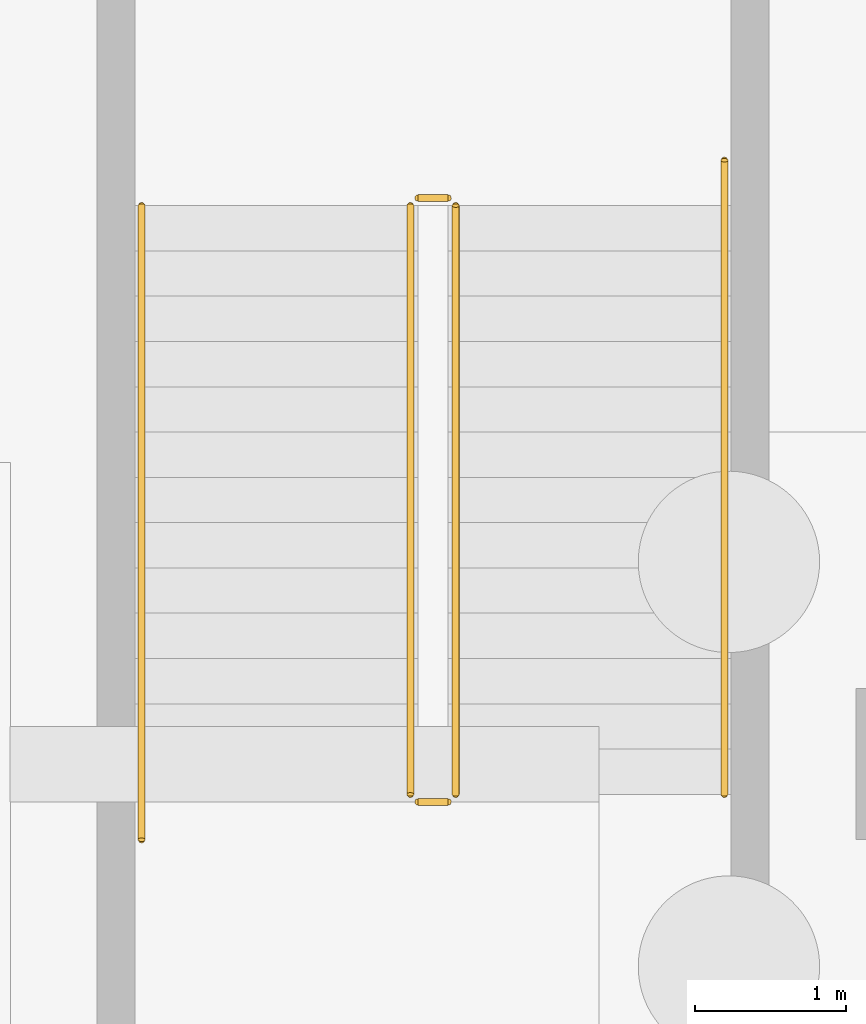
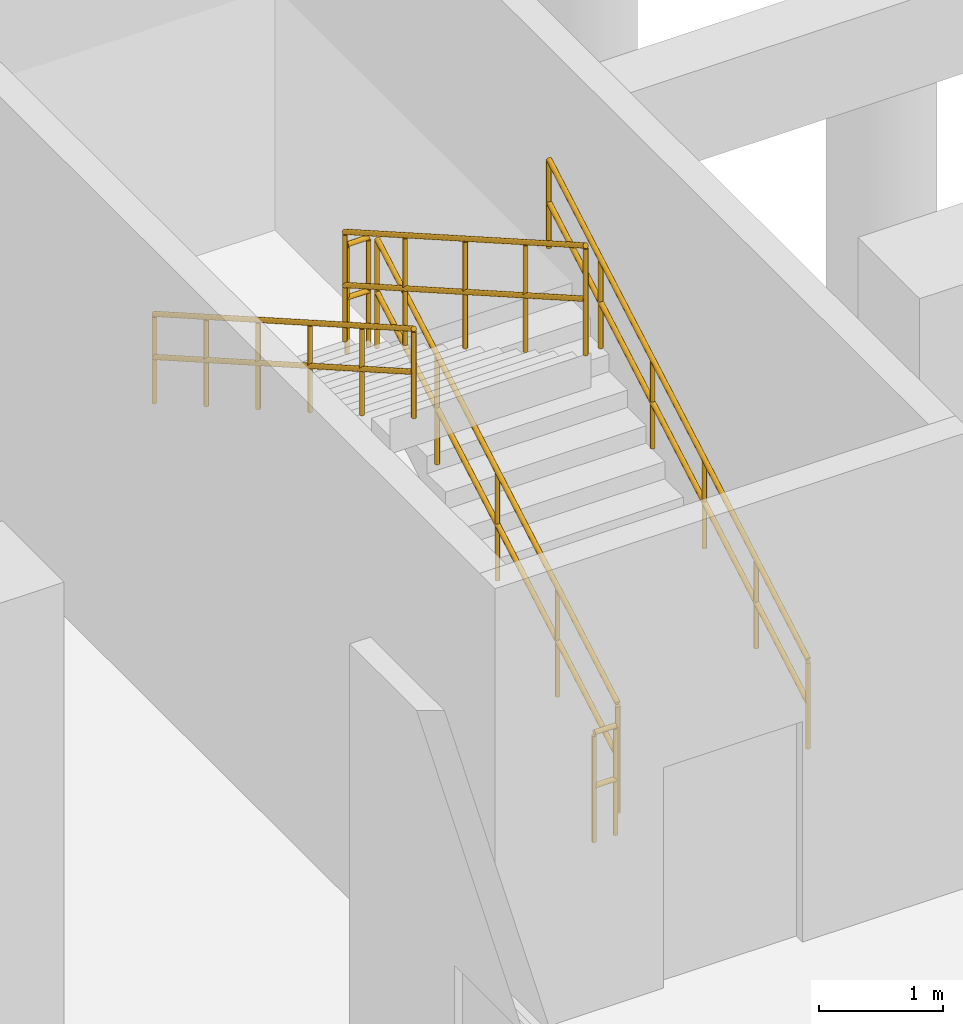
# One storey, part 37 of 40: 6 railings.
"""IFC4 building model written with IfcOpenShell, lengths in metres."""

import ifcopenshell
import ifcopenshell.guid

model = None  # the IFC model being written
_history = None  # IfcOwnerHistory: only IFC2X3 demands one
_inside = {}  # id of a spatial element -> (the spatial element, [elements in it])
_under = {}  # id of a project, library or spatial element -> (it, [spatial elements below it])
_declared = {}  # id of a project -> (the project, [libraries it declares])
_typed = {}  # id of a type object -> (the type object, [elements of that type])
_made_of = {}  # id of a material, layer set ... -> (it, [elements and type objects made of it])


def new_model(schema):
    """Start an empty IFC model of exactly this schema.

    Asked for "IFC4X3", IfcOpenShell would pick the latest addendum, in which some entities
    have other attributes; the version numbers below select the first issue.
    IFC2X3 requires an IfcOwnerHistory on every rooted entity: one is made here for all.
    """
    global model, _history
    if schema == "IFC4X3":
        model = ifcopenshell.file(schema_version=(4, 3, 0, 0))
    else:
        model = ifcopenshell.file(schema=schema)
    _inside.clear()
    _under.clear()
    _declared.clear()
    _typed.clear()
    _made_of.clear()
    _history = None
    if model.schema == "IFC2X3":
        org = make("IfcOrganization", Name="unknown")
        user = make(
            "IfcPersonAndOrganization",
            ThePerson=make("IfcPerson", FamilyName="unknown"),
            TheOrganization=org,
        )
        app = make(
            "IfcApplication",
            ApplicationDeveloper=org,
            Version="unknown",
            ApplicationFullName="unknown",
            ApplicationIdentifier="unknown",
        )
        _history = make(
            "IfcOwnerHistory",
            OwningUser=user,
            OwningApplication=app,
            ChangeAction="ADDED",
            CreationDate=0,
        )
    return model


def make(cls, **values):
    """One entity of the class cls with the attributes given. An attribute that is None is left unset."""
    return model.create_entity(
        cls, **{name: value for name, value in values.items() if value is not None}
    )


def rooted(cls, **values):
    """An entity with a GlobalId (a new one), such as an element, a storey or a relation."""
    return make(cls, GlobalId=ifcopenshell.guid.new(), OwnerHistory=_history, **values)


def si_unit(unit_type, name, prefix=None):
    """IfcSIUnit, for example si_unit("LENGTHUNIT", "METRE", prefix="MILLI")."""
    return make("IfcSIUnit", UnitType=unit_type, Prefix=prefix, Name=name)


def assignment(units):
    """IfcUnitAssignment: the units of a project."""
    return None if units is None else make("IfcUnitAssignment", Units=units)


def point(xyz):
    """IfcCartesianPoint."""
    return None if xyz is None else make("IfcCartesianPoint", Coordinates=xyz)


def direction(xyz):
    """IfcDirection."""
    return None if xyz is None else make("IfcDirection", DirectionRatios=xyz)


def frame(location, z_axis=None, x_axis=None):
    """IfcAxis2Placement3D, a coordinate frame: its origin and axes. An axis left out is left unset."""
    return make(
        "IfcAxis2Placement3D",
        Location=point(location),
        Axis=direction(z_axis),
        RefDirection=direction(x_axis),
    )


def frame_2d(location, x_axis=None):
    """IfcAxis2Placement2D, a coordinate frame in the plane: its origin and x axis."""
    return make(
        "IfcAxis2Placement2D", Location=point(location), RefDirection=direction(x_axis)
    )


def origin():
    """The frame at (0, 0, 0) with its axes left unset."""
    return frame((0.0, 0.0, 0.0))


def origin_2d():
    """The frame at (0, 0) in the plane with its x axis left unset."""
    return frame_2d((0.0, 0.0))


def place(relative_to, where):
    """IfcLocalPlacement: puts the frame where relative to a parent placement (None: the world)."""
    return make(
        "IfcLocalPlacement", PlacementRelTo=relative_to, RelativePlacement=where
    )


def context(
    kind, dimensions, precision=None, world=None, true_north=None, identifier=None
):
    """IfcGeometricRepresentationContext, for example the 3D "Model" context."""
    return make(
        "IfcGeometricRepresentationContext",
        ContextIdentifier=identifier,
        ContextType=kind,
        CoordinateSpaceDimension=dimensions,
        Precision=precision,
        WorldCoordinateSystem=world,
        TrueNorth=true_north,
    )


def subcontext(parent, identifier, kind, view, scale=None):
    """IfcGeometricRepresentationSubContext, for example "Body" below "Model"."""
    return make(
        "IfcGeometricRepresentationSubContext",
        ContextIdentifier=identifier,
        ContextType=kind,
        ParentContext=parent,
        TargetScale=scale,
        TargetView=view,
    )


def project(units=None, contexts=None):
    """IfcProject with its units and contexts."""
    return rooted(
        "IfcProject",
        Name="project",
        RepresentationContexts=contexts,
        UnitsInContext=assignment(units),
    )


def spatial(cls, under=None, at=None, **own):
    """A site, building, storey or space (cls), placed at a placement, below another one or the project."""
    s = rooted(cls, ObjectPlacement=at, **own)
    if under is not None:
        _under.setdefault(under.id(), (under, []))[1].append(s)
    return s


def profile(cls, at=None, kind="AREA", **sizes):
    """A parametric profile (cls). Its sizes go by their IFC names, for example OverallWidth=200.0."""
    return make(cls, ProfileType=kind, Position=at, **sizes)


def circle(**sizes):
    """IfcCircleProfileDef."""
    return profile("IfcCircleProfileDef", **sizes)


def extrude(swept, where, along, depth):
    """IfcExtrudedAreaSolid: the profile swept, set in the frame where, extruded along a direction by depth."""
    return make(
        "IfcExtrudedAreaSolid",
        SweptArea=swept,
        Position=where,
        ExtrudedDirection=direction(along),
        Depth=depth,
    )


def shape(context_of_items, identifier, shape_type, items):
    """IfcShapeRepresentation: the items that make up one representation, for example the "Body"."""
    return make(
        "IfcShapeRepresentation",
        ContextOfItems=context_of_items,
        RepresentationIdentifier=identifier,
        RepresentationType=shape_type,
        Items=items,
    )


def material(Name=None, Category=None):
    """IfcMaterial."""
    return make("IfcMaterial", Name=Name, Category=Category)


def made_of(thing, what):
    """Note that an element or type object is made of a material, layer set ...; save() writes the relation."""
    if what is not None:
        _made_of.setdefault(what.id(), (what, []))[1].append(thing)
    return thing


def type_object(cls, material=None, **own):
    """A type object (cls), such as IfcWallType, which elements share."""
    return made_of(rooted(cls, **own), material)


def element(
    cls,
    number,
    at=None,
    inside=None,
    cuts=None,
    type_object=None,
    material=None,
    context=None,
    identifier="Body",
    shape_type=None,
    held_by="IfcProductDefinitionShape",
    body=None,
    shapes=None,
    **own,
):
    """One element of the class cls, such as IfcWall. Its Tag is "e" and its number.

    at: its placement. inside: the storey or other place that contains it. cuts: it is an
    opening in that element (IfcRelVoidsElement). A single representation is given by context,
    identifier, shape_type and body (its items); several are given by shapes. held_by: the class
    of the entity that holds the representations. save() writes the other relations.
    """
    e = rooted(cls, Tag="e%d" % number, ObjectPlacement=at, **own)
    if body is not None:
        shapes = [shape(context, identifier, shape_type, body)]
    if shapes is not None:
        e.Representation = make(held_by, Representations=shapes)
    if inside is not None:
        _inside.setdefault(inside.id(), (inside, []))[1].append(e)
    if cuts is not None:
        rooted(
            "IfcRelVoidsElement", RelatingBuildingElement=cuts, RelatedOpeningElement=e
        )
    if type_object is not None:
        _typed.setdefault(type_object.id(), (type_object, []))[1].append(e)
    return made_of(e, material)


def aggregate(whole, parts):
    """IfcRelAggregates: a whole, such as a stair, and the parts it consists of."""
    return rooted("IfcRelAggregates", RelatingObject=whole, RelatedObjects=parts)


def save(model, path):
    """Write the relations noted so far, then the file.

    IfcRelAggregates (storeys below a building ...), IfcRelContainedInSpatialStructure (elements
    in a storey), IfcRelDefinesByType, IfcRelAssociatesMaterial and IfcRelDeclares: one each for
    every whole, place, type object, material and project.
    """
    for whole, parts in _under.values():
        aggregate(whole, parts)
    for where, things in _inside.values():
        rooted(
            "IfcRelContainedInSpatialStructure",
            RelatedElements=things,
            RelatingStructure=where,
        )
    for kind, things in _typed.values():
        rooted("IfcRelDefinesByType", RelatedObjects=things, RelatingType=kind)
    for what, things in _made_of.values():
        rooted("IfcRelAssociatesMaterial", RelatedObjects=things, RelatingMaterial=what)
    for by, libraries in _declared.values():
        rooted("IfcRelDeclares", RelatingContext=by, RelatedDefinitions=libraries)
    model.write(path)


model = new_model("IFC4")

# Units and contexts
model_context = context("Model", 3, precision=1e-05, world=origin(), true_north=direction((0.0, 1.0)))
body_context = subcontext(model_context, "Body", "Model", "MODEL_VIEW")
ifc_project = project(units=[si_unit("LENGTHUNIT", "METRE"), si_unit("AREAUNIT", "SQUARE_METRE"), si_unit("VOLUMEUNIT", "CUBIC_METRE"), si_unit("PLANEANGLEUNIT", "RADIAN"), si_unit("MASSUNIT", "GRAM", prefix="KILO")], contexts=[model_context])

# Site, building, storey
site_placement = place(None, origin())
site = spatial("IfcSite", under=ifc_project, at=site_placement, CompositionType="ELEMENT")
building_placement = place(site_placement, origin())
building = spatial("IfcBuilding", under=site, at=building_placement, Name="Marnock Terrace Opera House", CompositionType="ELEMENT")
storey_placement = place(building_placement, frame((0.0, 0.0, -4.800048828125)))
storey = spatial("IfcBuildingStorey", under=building, at=storey_placement, Name="B1", CompositionType="ELEMENT", Elevation=-4.800048828125)

# Railings
ifc_material = material(Name="Architectural bronze balustrade")
railing_type_1 = type_object("IfcRailingType", Name="RL-GUARD-1100", PredefinedType="GUARDRAIL", material=ifc_material)
railing_1_placement = place(storey_placement, frame((105.85009765625, 74.800048828125, 0.17138671875)))
element("IfcRailing", 1, at=railing_1_placement, inside=storey, type_object=railing_type_1, Name="B1 ST-04 stair guard 1", PredefinedType="GUARDRAIL", context=body_context, shape_type="SweptSolid", body=[
    extrude(circle(Radius=0.02392578125, at=origin_2d()), frame((0.0, 0.0, 1.076171875), z_axis=(0.0, 0.868219727965, 0.496179910892), x_axis=(-1.0, 0.0, 0.0)), (0.0, 0.0, 1.0), 4.491943359375),
    extrude(circle(Radius=0.02392578125, at=origin_2d()), frame((0.0, 0.0, 0.550048828125), z_axis=(0.0, 0.868219727965, 0.496179910892), x_axis=(-1.0, 0.0, 0.0)), (0.0, 0.0, 1.0), 4.491943359375),
    extrude(circle(Radius=0.02099609375, at=origin_2d()), origin(), (0.0, 0.0, 1.0), 1.052001953125),
    extrude(circle(Radius=0.02099609375, at=origin_2d()), frame((0.0, 0.97509765625, 0.55712890625)), (0.0, 0.0, 1.0), 1.052001953125),
    extrude(circle(Radius=0.02099609375, at=origin_2d()), frame((0.0, 1.949951171875, 1.1142578125)), (0.0, 0.0, 1.0), 1.052001953125),
    extrude(circle(Radius=0.02099609375, at=origin_2d()), frame((0.0, 2.9248046875, 1.671630859375)), (0.0, 0.0, 1.0), 1.052001953125),
    extrude(circle(Radius=0.02099609375, at=origin_2d()), frame((0.0, 3.89990234375, 2.228759765625)), (0.0, 0.0, 1.0), 1.052001953125),
])
railing_2_placement = place(storey_placement, frame((105.800048828125, 78.75, 2.400146484375)))
element("IfcRailing", 2, at=railing_2_placement, inside=storey, type_object=railing_type_1, Name="B1 ST-04 stair guard 2", PredefinedType="GUARDRAIL", context=body_context, shape_type="SweptSolid", body=[
    extrude(circle(Radius=0.02392578125, at=origin_2d()), frame((0.0, 0.0, 1.076171875), z_axis=(-1.0, 0.0, 0.0), x_axis=(0.0, -1.0, 0.0)), (0.0, 0.0, 1.0), 0.199951171875),
    extrude(circle(Radius=0.02392578125, at=origin_2d()), frame((0.0, 0.0, 0.550048828125), z_axis=(-1.0, 0.0, 0.0), x_axis=(0.0, -1.0, 0.0)), (0.0, 0.0, 1.0), 0.199951171875),
    extrude(circle(Radius=0.02099609375, at=origin_2d()), origin(), (0.0, 0.0, 1.0), 1.052001953125),
    extrude(circle(Radius=0.02099609375, at=origin_2d()), frame((-0.199951171875, 0.0, 0.0)), (0.0, 0.0, 1.0), 1.052001953125),
])
railing_3_placement = place(storey_placement, frame((105.550048828125, 78.699951171875, 2.571533203125)))
element("IfcRailing", 3, at=railing_3_placement, inside=storey, type_object=railing_type_1, Name="B1 ST-04 stair guard 3", PredefinedType="GUARDRAIL", context=body_context, shape_type="SweptSolid", body=[
    extrude(circle(Radius=0.02392578125, at=origin_2d()), frame((0.0, 0.0, 1.076171875), z_axis=(0.0, -0.868243142124, 0.496138938357), x_axis=(1.0, 0.0, 0.0)), (0.0, 0.0, 1.0), 4.49169921875),
    extrude(circle(Radius=0.02392578125, at=origin_2d()), frame((0.0, 0.0, 0.550048828125), z_axis=(0.0, -0.868243142124, 0.496138938357), x_axis=(1.0, 0.0, 0.0)), (0.0, 0.0, 1.0), 4.49169921875),
    extrude(circle(Radius=0.02099609375, at=origin_2d()), origin(), (0.0, 0.0, 1.0), 1.052001953125),
    extrude(circle(Radius=0.02099609375, at=origin_2d()), frame((0.0, -0.97509765625, 0.55712890625)), (0.0, 0.0, 1.0), 1.052001953125),
    extrude(circle(Radius=0.02099609375, at=origin_2d()), frame((0.0, -1.949951171875, 1.1142578125)), (0.0, 0.0, 1.0), 1.052001953125),
    extrude(circle(Radius=0.02099609375, at=origin_2d()), frame((0.0, -2.9248046875, 1.67138671875)), (0.0, 0.0, 1.0), 1.052001953125),
    extrude(circle(Radius=0.02099609375, at=origin_2d()), frame((0.0, -3.89990234375, 2.228515625)), (0.0, 0.0, 1.0), 1.052001953125),
])
railing_4_placement = place(storey_placement, frame((105.800048828125, 74.75, 0.0)))
element("IfcRailing", 4, at=railing_4_placement, inside=storey, type_object=railing_type_1, Name="B1 ST-04 stair guard 4", PredefinedType="GUARDRAIL", context=body_context, shape_type="SweptSolid", body=[
    extrude(circle(Radius=0.02392578125, at=origin_2d()), frame((0.0, 0.0, 1.076171875), z_axis=(-1.0, 0.0, 0.0), x_axis=(0.0, -1.0, 0.0)), (0.0, 0.0, 1.0), 0.199951171875),
    extrude(circle(Radius=0.02392578125, at=origin_2d()), frame((0.0, 0.0, 0.550048828125), z_axis=(-1.0, 0.0, 0.0), x_axis=(0.0, -1.0, 0.0)), (0.0, 0.0, 1.0), 0.199951171875),
    extrude(circle(Radius=0.02099609375, at=origin_2d()), origin(), (0.0, 0.0, 1.0), 1.052001953125),
    extrude(circle(Radius=0.02099609375, at=origin_2d()), frame((-0.199951171875, 0.0, 0.0)), (0.0, 0.0, 1.0), 1.052001953125),
])
railing_type_2 = type_object("IfcRailingType", Name="RL-HAND-900", PredefinedType="HANDRAIL", material=ifc_material)
railing_5_placement = place(storey_placement, frame((107.6298828125, 74.800048828125, 0.18359375)))
element("IfcRailing", 5, at=railing_5_placement, inside=storey, type_object=railing_type_2, Name="B1 ST-04 stair handrail 1", PredefinedType="HANDRAIL", context=body_context, shape_type="SweptSolid", body=[
    extrude(circle(Radius=0.02392578125, at=origin_2d()), frame((0.0, 0.0, 0.8759765625), z_axis=(0.0, 0.868249353848, 0.496128067682), x_axis=(-1.0, 0.0, 0.0)), (0.0, 0.0, 1.0), 4.837158203125),
    extrude(circle(Radius=0.02392578125, at=origin_2d()), frame((0.0, 0.0, 0.449951171875), z_axis=(0.0, 0.868249353848, 0.496128067682), x_axis=(-1.0, 0.0, 0.0)), (0.0, 0.0, 1.0), 4.837158203125),
    extrude(circle(Radius=0.02099609375, at=origin_2d()), origin(), (0.0, 0.0, 1.0), 0.851806640625),
    extrude(circle(Radius=0.02099609375, at=origin_2d()), frame((0.0, 0.840087890625, 0.47998046875)), (0.0, 0.0, 1.0), 0.851806640625),
    extrude(circle(Radius=0.02099609375, at=origin_2d()), frame((0.0, 1.679931640625, 0.9599609375)), (0.0, 0.0, 1.0), 0.851806640625),
    extrude(circle(Radius=0.02099609375, at=origin_2d()), frame((0.0, 2.52001953125, 1.43994140625)), (0.0, 0.0, 1.0), 0.851806640625),
    extrude(circle(Radius=0.02099609375, at=origin_2d()), frame((0.0, 3.35986328125, 1.919921875)), (0.0, 0.0, 1.0), 0.851806640625),
    extrude(circle(Radius=0.02099609375, at=origin_2d()), frame((0.0, 4.199951171875, 2.39990234375)), (0.0, 0.0, 1.0), 0.851806640625),
])
railing_6_placement = place(storey_placement, frame((103.77001953125, 78.699951171875, 2.58349609375)))
element("IfcRailing", 6, at=railing_6_placement, inside=storey, type_object=railing_type_2, Name="B1 ST-04 stair handrail 2", PredefinedType="HANDRAIL", context=body_context, shape_type="SweptSolid", body=[
    extrude(circle(Radius=0.02392578125, at=origin_2d()), frame((0.0, 0.0, 0.8759765625), z_axis=(0.0, -0.868249353848, 0.496128067682), x_axis=(1.0, 0.0, 0.0)), (0.0, 0.0, 1.0), 4.837158203125),
    extrude(circle(Radius=0.02392578125, at=origin_2d()), frame((0.0, 0.0, 0.449951171875), z_axis=(0.0, -0.868249353848, 0.496128067682), x_axis=(1.0, 0.0, 0.0)), (0.0, 0.0, 1.0), 4.837158203125),
    extrude(circle(Radius=0.02099609375, at=origin_2d()), origin(), (0.0, 0.0, 1.0), 0.851806640625),
    extrude(circle(Radius=0.02099609375, at=origin_2d()), frame((0.0, -0.840087890625, 0.47998046875)), (0.0, 0.0, 1.0), 0.851806640625),
    extrude(circle(Radius=0.02099609375, at=origin_2d()), frame((0.0, -1.679931640625, 0.9599609375)), (0.0, 0.0, 1.0), 0.851806640625),
    extrude(circle(Radius=0.02099609375, at=origin_2d()), frame((0.0, -2.52001953125, 1.43994140625)), (0.0, 0.0, 1.0), 0.851806640625),
    extrude(circle(Radius=0.02099609375, at=origin_2d()), frame((0.0, -3.35986328125, 1.919921875)), (0.0, 0.0, 1.0), 0.851806640625),
    extrude(circle(Radius=0.02099609375, at=origin_2d()), frame((0.0, -4.199951171875, 2.39990234375)), (0.0, 0.0, 1.0), 0.851806640625),
])

save(model, "model.ifc")
